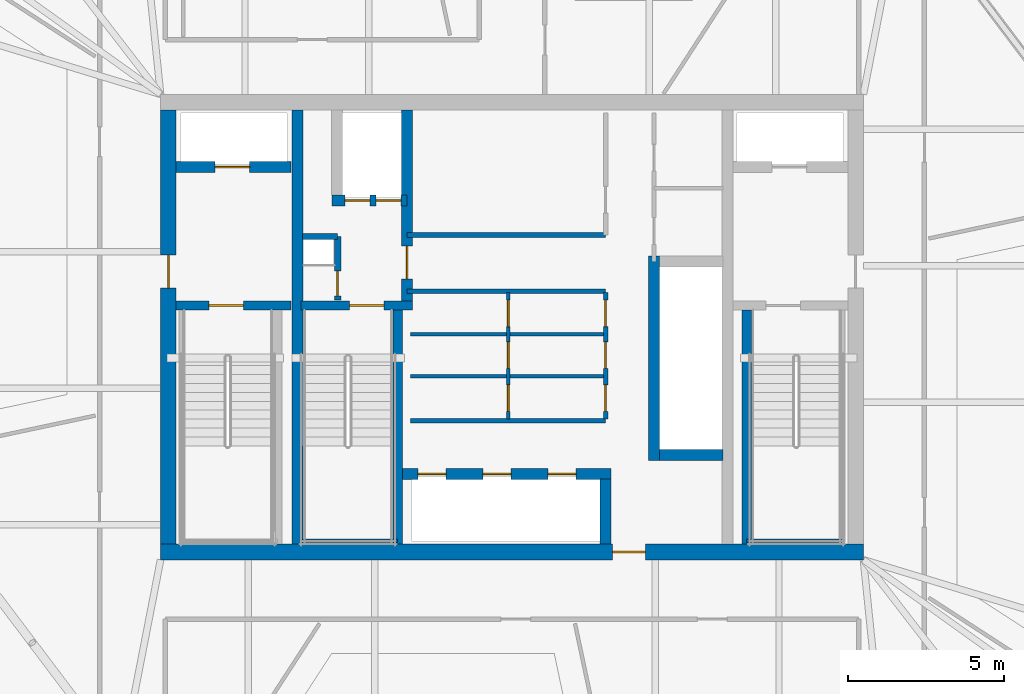
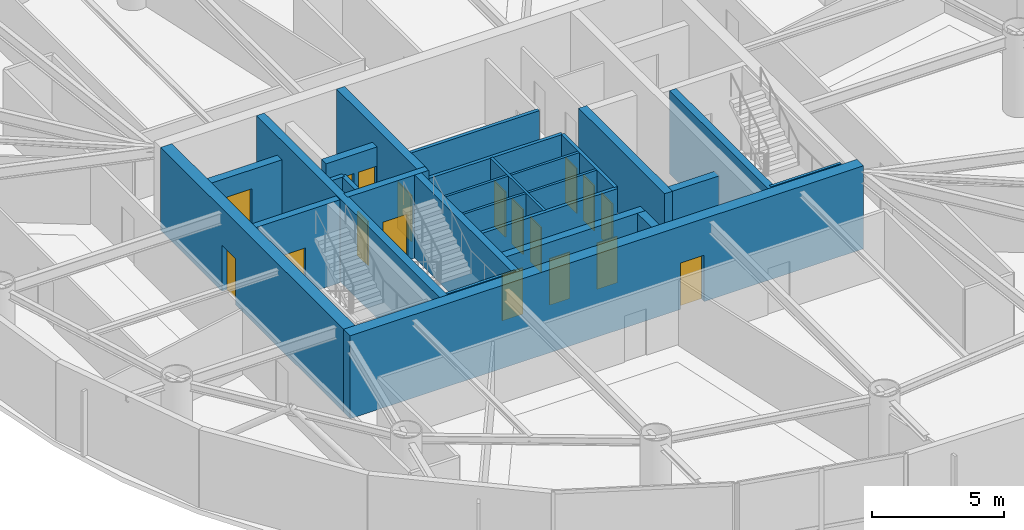
# One storey, part 16 of 22: 25 walls, 18 doors, 18 openings.
"""IFC4 building model written with IfcOpenShell, lengths in metres."""

import ifcopenshell
import ifcopenshell.guid

model = None  # the IFC model being written
_history = None  # IfcOwnerHistory: only IFC2X3 demands one
_inside = {}  # id of a spatial element -> (the spatial element, [elements in it])
_under = {}  # id of a project, library or spatial element -> (it, [spatial elements below it])
_declared = {}  # id of a project -> (the project, [libraries it declares])
_typed = {}  # id of a type object -> (the type object, [elements of that type])
_made_of = {}  # id of a material, layer set ... -> (it, [elements and type objects made of it])


def new_model(schema):
    """Start an empty IFC model of exactly this schema.

    Asked for "IFC4X3", IfcOpenShell would pick the latest addendum, in which some entities
    have other attributes; the version numbers below select the first issue.
    IFC2X3 requires an IfcOwnerHistory on every rooted entity: one is made here for all.
    """
    global model, _history
    if schema == "IFC4X3":
        model = ifcopenshell.file(schema_version=(4, 3, 0, 0))
    else:
        model = ifcopenshell.file(schema=schema)
    _inside.clear()
    _under.clear()
    _declared.clear()
    _typed.clear()
    _made_of.clear()
    _history = None
    if model.schema == "IFC2X3":
        org = make("IfcOrganization", Name="unknown")
        user = make(
            "IfcPersonAndOrganization",
            ThePerson=make("IfcPerson", FamilyName="unknown"),
            TheOrganization=org,
        )
        app = make(
            "IfcApplication",
            ApplicationDeveloper=org,
            Version="unknown",
            ApplicationFullName="unknown",
            ApplicationIdentifier="unknown",
        )
        _history = make(
            "IfcOwnerHistory",
            OwningUser=user,
            OwningApplication=app,
            ChangeAction="ADDED",
            CreationDate=0,
        )
    return model


def make(cls, **values):
    """One entity of the class cls with the attributes given. An attribute that is None is left unset."""
    return model.create_entity(
        cls, **{name: value for name, value in values.items() if value is not None}
    )


def rooted(cls, **values):
    """An entity with a GlobalId (a new one), such as an element, a storey or a relation."""
    return make(cls, GlobalId=ifcopenshell.guid.new(), OwnerHistory=_history, **values)


def si_unit(unit_type, name, prefix=None):
    """IfcSIUnit, for example si_unit("LENGTHUNIT", "METRE", prefix="MILLI")."""
    return make("IfcSIUnit", UnitType=unit_type, Prefix=prefix, Name=name)


def assignment(units):
    """IfcUnitAssignment: the units of a project."""
    return None if units is None else make("IfcUnitAssignment", Units=units)


def point(xyz):
    """IfcCartesianPoint."""
    return None if xyz is None else make("IfcCartesianPoint", Coordinates=xyz)


def direction(xyz):
    """IfcDirection."""
    return None if xyz is None else make("IfcDirection", DirectionRatios=xyz)


def frame(location, z_axis=None, x_axis=None):
    """IfcAxis2Placement3D, a coordinate frame: its origin and axes. An axis left out is left unset."""
    return make(
        "IfcAxis2Placement3D",
        Location=point(location),
        Axis=direction(z_axis),
        RefDirection=direction(x_axis),
    )


def frame_2d(location, x_axis=None):
    """IfcAxis2Placement2D, a coordinate frame in the plane: its origin and x axis."""
    return make(
        "IfcAxis2Placement2D", Location=point(location), RefDirection=direction(x_axis)
    )


def origin():
    """The frame at (0, 0, 0) with its axes left unset."""
    return frame((0.0, 0.0, 0.0))


def place(relative_to, where):
    """IfcLocalPlacement: puts the frame where relative to a parent placement (None: the world)."""
    return make(
        "IfcLocalPlacement", PlacementRelTo=relative_to, RelativePlacement=where
    )


def context(
    kind, dimensions, precision=None, world=None, true_north=None, identifier=None
):
    """IfcGeometricRepresentationContext, for example the 3D "Model" context."""
    return make(
        "IfcGeometricRepresentationContext",
        ContextIdentifier=identifier,
        ContextType=kind,
        CoordinateSpaceDimension=dimensions,
        Precision=precision,
        WorldCoordinateSystem=world,
        TrueNorth=true_north,
    )


def subcontext(parent, identifier, kind, view, scale=None):
    """IfcGeometricRepresentationSubContext, for example "Body" below "Model"."""
    return make(
        "IfcGeometricRepresentationSubContext",
        ContextIdentifier=identifier,
        ContextType=kind,
        ParentContext=parent,
        TargetScale=scale,
        TargetView=view,
    )


def project(units=None, contexts=None):
    """IfcProject with its units and contexts."""
    return rooted(
        "IfcProject",
        Name="project",
        RepresentationContexts=contexts,
        UnitsInContext=assignment(units),
    )


def spatial(cls, under=None, at=None, **own):
    """A site, building, storey or space (cls), placed at a placement, below another one or the project."""
    s = rooted(cls, ObjectPlacement=at, **own)
    if under is not None:
        _under.setdefault(under.id(), (under, []))[1].append(s)
    return s


def profile(cls, at=None, kind="AREA", **sizes):
    """A parametric profile (cls). Its sizes go by their IFC names, for example OverallWidth=200.0."""
    return make(cls, ProfileType=kind, Position=at, **sizes)


def rectangle(**sizes):
    """IfcRectangleProfileDef."""
    return profile("IfcRectangleProfileDef", **sizes)


def extrude(swept, where, along, depth):
    """IfcExtrudedAreaSolid: the profile swept, set in the frame where, extruded along a direction by depth."""
    return make(
        "IfcExtrudedAreaSolid",
        SweptArea=swept,
        Position=where,
        ExtrudedDirection=direction(along),
        Depth=depth,
    )


def shape(context_of_items, identifier, shape_type, items):
    """IfcShapeRepresentation: the items that make up one representation, for example the "Body"."""
    return make(
        "IfcShapeRepresentation",
        ContextOfItems=context_of_items,
        RepresentationIdentifier=identifier,
        RepresentationType=shape_type,
        Items=items,
    )


def material(Name=None, Category=None):
    """IfcMaterial."""
    return make("IfcMaterial", Name=Name, Category=Category)


def layer(
    of_material, thickness, ventilated=None, Name=None, Category=None, Priority=None
):
    """IfcMaterialLayer: one layer of a wall or slab, of a material (None: an air gap)."""
    return make(
        "IfcMaterialLayer",
        Material=of_material,
        LayerThickness=thickness,
        IsVentilated=ventilated,
        Name=Name,
        Category=Category,
        Priority=Priority,
    )


def layer_set(layers, Name=None):
    """IfcMaterialLayerSet."""
    return make("IfcMaterialLayerSet", MaterialLayers=layers, LayerSetName=Name)


def made_of(thing, what):
    """Note that an element or type object is made of a material, layer set ...; save() writes the relation."""
    if what is not None:
        _made_of.setdefault(what.id(), (what, []))[1].append(thing)
    return thing


def type_object(cls, material=None, **own):
    """A type object (cls), such as IfcWallType, which elements share."""
    return made_of(rooted(cls, **own), material)


def element(
    cls,
    number,
    at=None,
    inside=None,
    cuts=None,
    type_object=None,
    material=None,
    context=None,
    identifier="Body",
    shape_type=None,
    held_by="IfcProductDefinitionShape",
    body=None,
    shapes=None,
    **own,
):
    """One element of the class cls, such as IfcWall. Its Tag is "e" and its number.

    at: its placement. inside: the storey or other place that contains it. cuts: it is an
    opening in that element (IfcRelVoidsElement). A single representation is given by context,
    identifier, shape_type and body (its items); several are given by shapes. held_by: the class
    of the entity that holds the representations. save() writes the other relations.
    """
    e = rooted(cls, Tag="e%d" % number, ObjectPlacement=at, **own)
    if body is not None:
        shapes = [shape(context, identifier, shape_type, body)]
    if shapes is not None:
        e.Representation = make(held_by, Representations=shapes)
    if inside is not None:
        _inside.setdefault(inside.id(), (inside, []))[1].append(e)
    if cuts is not None:
        rooted(
            "IfcRelVoidsElement", RelatingBuildingElement=cuts, RelatedOpeningElement=e
        )
    if type_object is not None:
        _typed.setdefault(type_object.id(), (type_object, []))[1].append(e)
    return made_of(e, material)


def fill(opening, filler):
    """IfcRelFillsElement: the door or window that sits in an opening."""
    return rooted(
        "IfcRelFillsElement",
        RelatingOpeningElement=opening,
        RelatedBuildingElement=filler,
    )


def aggregate(whole, parts):
    """IfcRelAggregates: a whole, such as a stair, and the parts it consists of."""
    return rooted("IfcRelAggregates", RelatingObject=whole, RelatedObjects=parts)


def save(model, path):
    """Write the relations noted so far, then the file.

    IfcRelAggregates (storeys below a building ...), IfcRelContainedInSpatialStructure (elements
    in a storey), IfcRelDefinesByType, IfcRelAssociatesMaterial and IfcRelDeclares: one each for
    every whole, place, type object, material and project.
    """
    for whole, parts in _under.values():
        aggregate(whole, parts)
    for where, things in _inside.values():
        rooted(
            "IfcRelContainedInSpatialStructure",
            RelatedElements=things,
            RelatingStructure=where,
        )
    for kind, things in _typed.values():
        rooted("IfcRelDefinesByType", RelatedObjects=things, RelatingType=kind)
    for what, things in _made_of.values():
        rooted("IfcRelAssociatesMaterial", RelatedObjects=things, RelatingMaterial=what)
    for by, libraries in _declared.values():
        rooted("IfcRelDeclares", RelatingContext=by, RelatedDefinitions=libraries)
    model.write(path)


model = new_model("IFC4")

# Units and contexts
model_context = context("Model", 3, precision=1e-05, world=origin(), true_north=direction((0.0, 1.0)))
body_context = subcontext(model_context, "Body", "Model", "MODEL_VIEW")
ifc_project = project(units=[si_unit("LENGTHUNIT", "METRE"), si_unit("AREAUNIT", "SQUARE_METRE"), si_unit("VOLUMEUNIT", "CUBIC_METRE"), si_unit("PLANEANGLEUNIT", "RADIAN"), si_unit("MASSUNIT", "GRAM", prefix="KILO")], contexts=[model_context])

# Site, building, storey
site_placement = place(None, origin())
site = spatial("IfcSite", under=ifc_project, at=site_placement, CompositionType="ELEMENT")
building_placement = place(site_placement, origin())
building = spatial("IfcBuilding", under=site, at=building_placement, Name="Bramvorn Convention Spire", CompositionType="ELEMENT")
storey_placement = place(building_placement, frame((0.0, 0.0, 221.25)))
storey = spatial("IfcBuildingStorey", under=building, at=storey_placement, Name="L56", CompositionType="ELEMENT", Elevation=221.25)

# Wall, opening, door
ifc_material_1 = material(Name="Concrete C50/60", Category="concrete")
ifc_layer_1 = layer(ifc_material_1, 0.5)
ifc_layer_set_1 = layer_set([ifc_layer_1], Name="Concrete C50/60 - WL-CORE-500")
wall_type_1 = type_object("IfcWallType", Name="WL-CORE-500", PredefinedType="SHEAR", material=ifc_layer_set_1)
wall_1_placement = place(storey_placement, frame((26.75, 18.800048828125, 0.0), z_axis=(0.0, 0.0, 1.0), x_axis=(1.0, 0.0, 0.0)))
wall_1 = element("IfcWall", 1, at=wall_1_placement, inside=storey, type_object=wall_type_1, Name="L56 South RC core shear wall", PredefinedType="SHEAR", context=body_context, shape_type="SweptSolid", body=[
    extrude(rectangle(XDim=22.5, YDim=0.5, at=frame_2d((11.25, 0.0))), origin(), (0.0, 0.0, 1.0), 3.85009765625),
])
opening_1_placement = place(wall_1_placement, frame((14.469970703125, 0.0, 0.0)))
opening_1 = element("IfcOpeningElement", 2, at=opening_1_placement, cuts=wall_1, Name="Opening DL-105", PredefinedType="OPENING", context=body_context, shape_type="SweptSolid", body=[
    extrude(rectangle(XDim=1.050048828125, YDim=2.14990234375, at=frame_2d((0.52490234375, 1.074951171875))), frame((0.0, 0.260009765625, 0.0), z_axis=(0.0, -1.0, 0.0), x_axis=(1.0, 0.0, 0.0)), (0.0, 0.0, 1.0), 0.52001953125),
])
ifc_material_2 = material(Name="Smoke-Sealed Fire Lobby Timber-Core Door", Category="wood")
door_type_1 = type_object("IfcDoorType", Name="DR-LOBBY-1050", OperationType="NOTDEFINED", PredefinedType="DOOR", material=ifc_material_2)
door_1_placement = place(opening_1_placement, origin())
door_1 = element("IfcDoor", 3, at=door_1_placement, inside=storey, type_object=door_type_1, Name="L56 South Lift Lobby fire door", OperationType="SINGLE_SWING_RIGHT", OverallHeight=2.14990234375, OverallWidth=1.050048828125, PredefinedType="DOOR", context=body_context, shape_type="SweptSolid", body=[
    extrude(rectangle(XDim=1.050048828125, YDim=2.14990234375, at=frame_2d((0.52490234375, 1.074951171875))), frame((0.0, 0.02490234375, 0.0), z_axis=(0.0, -1.0, 0.0), x_axis=(1.0, 0.0, 0.0)), (0.0, 0.0, 1.0), 0.050048828125),
])
fill(opening_1, door_1)

wall_2_placement = place(storey_placement, frame((27.0, 19.050048828125, 0.0), z_axis=(0.0, 0.0, 1.0), x_axis=(0.0, 1.0, 0.0)))
wall_2 = element("IfcWall", 4, at=wall_2_placement, inside=storey, type_object=wall_type_1, Name="L56 West RC core shear wall", PredefinedType="SHEAR", context=body_context, shape_type="SweptSolid", body=[
    extrude(rectangle(XDim=13.89990234375, YDim=0.5, at=frame_2d((6.949951171875, 0.0))), origin(), (0.0, 0.0, 1.0), 3.85009765625),
])
opening_2_placement = place(wall_2_placement, frame((8.199951171875, 0.0, 0.0)))
opening_2 = element("IfcOpeningElement", 5, at=opening_2_placement, cuts=wall_2, Name="Opening DL-105", PredefinedType="OPENING", context=body_context, shape_type="SweptSolid", body=[
    extrude(rectangle(XDim=1.050048828125, YDim=2.14990234375, at=frame_2d((0.52490234375, 1.074951171875))), frame((0.0, 0.260009765625, 0.0), z_axis=(0.0, -1.0, 0.0), x_axis=(1.0, 0.0, 0.0)), (0.0, 0.0, 1.0), 0.52001953125),
])
door_2_placement = place(opening_2_placement, origin())
door_2 = element("IfcDoor", 6, at=door_2_placement, inside=storey, type_object=door_type_1, Name="L56 West Firefighting Lobby corridor door", OperationType="SINGLE_SWING_RIGHT", OverallHeight=2.14990234375, OverallWidth=1.050048828125, PredefinedType="DOOR", context=body_context, shape_type="SweptSolid", body=[
    extrude(rectangle(XDim=1.050048828125, YDim=2.14990234375, at=frame_2d((0.52490234375, 1.074951171875))), frame((0.0, 0.02490234375, 0.0), z_axis=(0.0, -1.0, 0.0), x_axis=(1.0, 0.0, 0.0)), (0.0, 0.0, 1.0), 0.050048828125),
])
fill(opening_2, door_2)

# Wall
ifc_layer_2 = layer(ifc_material_1, 0.35009765625)
ifc_layer_set_2 = layer_set([ifc_layer_2], Name="Concrete C50/60 - WL-CORE-INT-350")
wall_type_2 = type_object("IfcWallType", Name="WL-CORE-INT-350", PredefinedType="SHEAR", material=ifc_layer_set_2)
wall_3_placement = place(storey_placement, frame((31.1298828125, 19.050048828125, 0.0), z_axis=(0.0, 0.0, 1.0), x_axis=(0.0, 1.0, 0.0)))
element("IfcWall", 7, at=wall_3_placement, inside=storey, type_object=wall_type_2, Name="L56 West internal core shear web", PredefinedType="SHEAR", context=body_context, shape_type="SweptSolid", body=[
    extrude(rectangle(XDim=13.89990234375, YDim=0.35009765625, at=frame_2d((6.949951171875, 0.0))), origin(), (0.0, 0.0, 1.0), 3.85009765625),
])

# Wall, opening, door
wall_4_placement = place(storey_placement, frame((27.25, 31.1201171875, 0.0), z_axis=(0.0, 0.0, 1.0), x_axis=(1.0, 0.0, 0.0)))
wall_4 = element("IfcWall", 8, at=wall_4_placement, inside=storey, type_object=wall_type_2, Name="L56 FE1 shaft front wall", PredefinedType="SHEAR", context=body_context, shape_type="SweptSolid", body=[
    extrude(rectangle(XDim=3.669921875, YDim=0.35009765625, at=frame_2d((1.8349609375, 0.0))), origin(), (0.0, 0.0, 1.0), 3.034912109375),
])
opening_3_placement = place(wall_4_placement, frame((1.25, 0.0, 0.0)))
opening_3 = element("IfcOpeningElement", 9, at=opening_3_placement, cuts=wall_4, Name="Opening LD-110", PredefinedType="OPENING", context=body_context, shape_type="SweptSolid", body=[
    extrude(rectangle(XDim=1.10009765625, YDim=2.14990234375, at=frame_2d((0.550048828125, 1.074951171875))), frame((0.0, 0.18505859375, 0.0), z_axis=(0.0, -1.0, 0.0), x_axis=(1.0, 0.0, 0.0)), (0.0, 0.0, 1.0), 0.3701171875),
])
ifc_material_3 = material(Name="Firefighting & Service Lift Sliding Landing Door", Category="steel")
door_type_2 = type_object("IfcDoorType", Name="DR-LIFT-LD-1100", OperationType="NOTDEFINED", PredefinedType="DOOR", material=ifc_material_3)
door_3_placement = place(opening_3_placement, origin())
door_3 = element("IfcDoor", 10, at=door_3_placement, inside=storey, type_object=door_type_2, Name="L56 Lift FE1 Sliding Landing Door", OperationType="SLIDING_TO_LEFT", OverallHeight=2.14990234375, OverallWidth=1.10009765625, PredefinedType="DOOR", context=body_context, shape_type="SweptSolid", body=[
    extrude(rectangle(XDim=1.10009765625, YDim=2.14990234375, at=frame_2d((0.550048828125, 1.074951171875))), frame((0.0, 0.02490234375, 0.0), z_axis=(0.0, -1.0, 0.0), x_axis=(1.0, 0.0, 0.0)), (0.0, 0.0, 1.0), 0.050048828125),
])
fill(opening_3, door_3)

wall_5_placement = place(storey_placement, frame((34.639892578125, 26.68994140625, 0.0), z_axis=(0.0, 0.0, 1.0), x_axis=(0.0, 1.0, 0.0)))
wall_5 = element("IfcWall", 11, at=wall_5_placement, inside=storey, type_object=wall_type_2, Name="L56 SV east core shaft wall", PredefinedType="SHEAR", context=body_context, shape_type="SweptSolid", body=[
    extrude(rectangle(XDim=6.260009765625, YDim=0.35009765625, at=frame_2d((3.1298828125, 0.0))), origin(), (0.0, 0.0, 1.0), 3.85009765625),
])
opening_4_placement = place(wall_5_placement, frame((0.85009765625, 0.0, 0.0)))
opening_4 = element("IfcOpeningElement", 12, at=opening_4_placement, cuts=wall_5, Name="Opening DL-105", PredefinedType="OPENING", context=body_context, shape_type="SweptSolid", body=[
    extrude(rectangle(XDim=1.050048828125, YDim=2.14990234375, at=frame_2d((0.52490234375, 1.074951171875))), frame((0.0, 0.18505859375, 0.0), z_axis=(0.0, -1.0, 0.0), x_axis=(1.0, 0.0, 0.0)), (0.0, 0.0, 1.0), 0.3701171875),
])
door_4_placement = place(opening_4_placement, origin())
door_4 = element("IfcDoor", 13, at=door_4_placement, inside=storey, type_object=door_type_1, Name="L56 Core cross-passage door", OperationType="SINGLE_SWING_RIGHT", OverallHeight=2.14990234375, OverallWidth=1.050048828125, PredefinedType="DOOR", context=body_context, shape_type="SweptSolid", body=[
    extrude(rectangle(XDim=1.050048828125, YDim=2.14990234375, at=frame_2d((0.52490234375, 1.074951171875))), frame((0.0, 0.02490234375, 0.0), z_axis=(0.0, -1.0, 0.0), x_axis=(1.0, 0.0, 0.0)), (0.0, 0.0, 1.0), 0.050048828125),
])
fill(opening_4, door_4)

# Wall, openings, doors
wall_6_placement = place(storey_placement, frame((32.22998046875, 30.050048828125, 0.0), z_axis=(0.0, 0.0, 1.0), x_axis=(1.0, 0.0, 0.0)))
wall_6 = element("IfcWall", 14, at=wall_6_placement, inside=storey, type_object=wall_type_2, Name="L56 SV1/SV2 shaft front wall", PredefinedType="SHEAR", context=body_context, shape_type="SweptSolid", body=[
    extrude(rectangle(XDim=2.409912109375, YDim=0.35009765625, at=frame_2d((1.205078125, 0.0))), origin(), (0.0, 0.0, 1.0), 3.034912109375),
])
opening_5_placement = place(wall_6_placement, frame((0.419921875, 0.0, 0.0)))
opening_5 = element("IfcOpeningElement", 15, at=opening_5_placement, cuts=wall_6, Name="Opening LD-080", PredefinedType="OPENING", context=body_context, shape_type="SweptSolid", body=[
    extrude(rectangle(XDim=0.800048828125, YDim=2.14990234375, at=frame_2d((0.39990234375, 1.074951171875))), frame((0.0, 0.18505859375, 0.0), z_axis=(0.0, -1.0, 0.0), x_axis=(1.0, 0.0, 0.0)), (0.0, 0.0, 1.0), 0.3701171875),
])
opening_6_placement = place(wall_6_placement, frame((1.419921875, 0.0, 0.0)))
opening_6 = element("IfcOpeningElement", 16, at=opening_6_placement, cuts=wall_6, Name="Opening LD-080", PredefinedType="OPENING", context=body_context, shape_type="SweptSolid", body=[
    extrude(rectangle(XDim=0.800048828125, YDim=2.14990234375, at=frame_2d((0.39990234375, 1.074951171875))), frame((0.0, 0.18505859375, 0.0), z_axis=(0.0, -1.0, 0.0), x_axis=(1.0, 0.0, 0.0)), (0.0, 0.0, 1.0), 0.3701171875),
])
ifc_material_4 = material(Name="Service Lift Bi-Parting Landing Door", Category="steel")
door_type_3 = type_object("IfcDoorType", Name="DR-LIFT-LD-800", OperationType="NOTDEFINED", PredefinedType="DOOR", material=ifc_material_4)
door_5_placement = place(opening_5_placement, origin())
door_5 = element("IfcDoor", 17, at=door_5_placement, inside=storey, type_object=door_type_3, Name="L56 Lift SV1 Sliding Landing Door", OperationType="SLIDING_TO_LEFT", OverallHeight=2.14990234375, OverallWidth=0.800048828125, PredefinedType="DOOR", context=body_context, shape_type="SweptSolid", body=[
    extrude(rectangle(XDim=0.800048828125, YDim=2.14990234375, at=frame_2d((0.39990234375, 1.074951171875))), frame((0.0, 0.02490234375, 0.0), z_axis=(0.0, -1.0, 0.0), x_axis=(1.0, 0.0, 0.0)), (0.0, 0.0, 1.0), 0.050048828125),
])
fill(opening_5, door_5)
door_6_placement = place(opening_6_placement, origin())
door_6 = element("IfcDoor", 18, at=door_6_placement, inside=storey, type_object=door_type_3, Name="L56 Lift SV2 Sliding Landing Door", OperationType="SLIDING_TO_LEFT", OverallHeight=2.14990234375, OverallWidth=0.800048828125, PredefinedType="DOOR", context=body_context, shape_type="SweptSolid", body=[
    extrude(rectangle(XDim=0.800048828125, YDim=2.14990234375, at=frame_2d((0.39990234375, 1.074951171875))), frame((0.0, 0.02490234375, 0.0), z_axis=(0.0, -1.0, 0.0), x_axis=(1.0, 0.0, 0.0)), (0.0, 0.0, 1.0), 0.050048828125),
])
fill(opening_6, door_6)

# Walls
wall_7_placement = place(storey_placement, frame((42.550048828125, 21.72998046875, 0.0), z_axis=(0.0, 0.0, 1.0), x_axis=(0.0, 1.0, 0.0)))
element("IfcWall", 19, at=wall_7_placement, inside=storey, type_object=wall_type_2, Name="L56 High-rise lift bank west wall", PredefinedType="SHEAR", context=body_context, shape_type="SweptSolid", body=[
    extrude(rectangle(XDim=6.5400390625, YDim=0.35009765625, at=frame_2d((3.27001953125, 0.0))), origin(), (0.0, 0.0, 1.0), 3.034912109375),
])
wall_8_placement = place(storey_placement, frame((42.719970703125, 21.89990234375, 0.0), z_axis=(0.0, 0.0, 1.0), x_axis=(1.0, 0.0, 0.0)))
element("IfcWall", 20, at=wall_8_placement, inside=storey, type_object=wall_type_2, Name="L56 High-rise lift bank south wall", PredefinedType="SHEAR", context=body_context, shape_type="SweptSolid", body=[
    extrude(rectangle(XDim=2.030029296875, YDim=0.35009765625, at=frame_2d((1.01513671875, 0.0))), origin(), (0.0, 0.0, 1.0), 3.034912109375),
])

# Wall, openings, doors
wall_9_placement = place(storey_placement, frame((34.489990234375, 21.300048828125, 0.0), z_axis=(0.0, 0.0, 1.0), x_axis=(1.0, 0.0, 0.0)))
wall_9 = element("IfcWall", 21, at=wall_9_placement, inside=storey, type_object=wall_type_2, Name="L56 Mid-rise bank north landing wall", PredefinedType="SHEAR", context=body_context, shape_type="SweptSolid", body=[
    extrude(rectangle(XDim=6.679931640625, YDim=0.35009765625, at=frame_2d((3.33984375, 0.0))), origin(), (0.0, 0.0, 1.0), 3.034912109375),
])
opening_7_placement = place(wall_9_placement, frame((0.5, 0.0, 0.0)))
opening_7 = element("IfcOpeningElement", 22, at=opening_7_placement, cuts=wall_9, Name="Opening LD-090", PredefinedType="OPENING", context=body_context, shape_type="SweptSolid", body=[
    extrude(rectangle(XDim=0.89990234375, YDim=2.14990234375, at=frame_2d((0.449951171875, 1.074951171875))), frame((0.0, 0.18505859375, 0.0), z_axis=(0.0, -1.0, 0.0), x_axis=(1.0, 0.0, 0.0)), (0.0, 0.0, 1.0), 0.3701171875),
])
opening_8_placement = place(wall_9_placement, frame((2.580078125, 0.0, 0.0)))
opening_8 = element("IfcOpeningElement", 23, at=opening_8_placement, cuts=wall_9, Name="Opening LD-090", PredefinedType="OPENING", context=body_context, shape_type="SweptSolid", body=[
    extrude(rectangle(XDim=0.89990234375, YDim=2.14990234375, at=frame_2d((0.449951171875, 1.074951171875))), frame((0.0, 0.18505859375, 0.0), z_axis=(0.0, -1.0, 0.0), x_axis=(1.0, 0.0, 0.0)), (0.0, 0.0, 1.0), 0.3701171875),
])
opening_9_placement = place(wall_9_placement, frame((4.659912109375, 0.0, 0.0)))
opening_9 = element("IfcOpeningElement", 24, at=opening_9_placement, cuts=wall_9, Name="Opening LD-090", PredefinedType="OPENING", context=body_context, shape_type="SweptSolid", body=[
    extrude(rectangle(XDim=0.89990234375, YDim=2.14990234375, at=frame_2d((0.449951171875, 1.074951171875))), frame((0.0, 0.18505859375, 0.0), z_axis=(0.0, -1.0, 0.0), x_axis=(1.0, 0.0, 0.0)), (0.0, 0.0, 1.0), 0.3701171875),
])
ifc_material_5 = material(Name="Bi-Parting Fire-Rated Lift Landing Door", Category="steel")
door_type_4 = type_object("IfcDoorType", Name="DR-LIFT-LD-900", OperationType="NOTDEFINED", PredefinedType="DOOR", material=ifc_material_5)
door_7_placement = place(opening_7_placement, origin())
door_7 = element("IfcDoor", 25, at=door_7_placement, inside=storey, type_object=door_type_4, Name="L56 Lift PM1 Sliding Landing Door", OperationType="SLIDING_TO_LEFT", OverallHeight=2.14990234375, OverallWidth=0.89990234375, PredefinedType="DOOR", context=body_context, shape_type="SweptSolid", body=[
    extrude(rectangle(XDim=0.89990234375, YDim=2.14990234375, at=frame_2d((0.449951171875, 1.074951171875))), frame((0.0, 0.02490234375, 0.0), z_axis=(0.0, -1.0, 0.0), x_axis=(1.0, 0.0, 0.0)), (0.0, 0.0, 1.0), 0.050048828125),
])
fill(opening_7, door_7)
door_8_placement = place(opening_8_placement, origin())
door_8 = element("IfcDoor", 26, at=door_8_placement, inside=storey, type_object=door_type_4, Name="L56 Lift PM2 Sliding Landing Door", OperationType="SLIDING_TO_LEFT", OverallHeight=2.14990234375, OverallWidth=0.89990234375, PredefinedType="DOOR", context=body_context, shape_type="SweptSolid", body=[
    extrude(rectangle(XDim=0.89990234375, YDim=2.14990234375, at=frame_2d((0.449951171875, 1.074951171875))), frame((0.0, 0.02490234375, 0.0), z_axis=(0.0, -1.0, 0.0), x_axis=(1.0, 0.0, 0.0)), (0.0, 0.0, 1.0), 0.050048828125),
])
fill(opening_8, door_8)
door_9_placement = place(opening_9_placement, origin())
door_9 = element("IfcDoor", 27, at=door_9_placement, inside=storey, type_object=door_type_4, Name="L56 Lift PM3 Sliding Landing Door", OperationType="SLIDING_TO_LEFT", OverallHeight=2.14990234375, OverallWidth=0.89990234375, PredefinedType="DOOR", context=body_context, shape_type="SweptSolid", body=[
    extrude(rectangle(XDim=0.89990234375, YDim=2.14990234375, at=frame_2d((0.449951171875, 1.074951171875))), frame((0.0, 0.02490234375, 0.0), z_axis=(0.0, -1.0, 0.0), x_axis=(1.0, 0.0, 0.0)), (0.0, 0.0, 1.0), 0.050048828125),
])
fill(opening_9, door_9)

# Wall
wall_10_placement = place(storey_placement, frame((41.0, 19.050048828125, 0.0), z_axis=(0.0, 0.0, 1.0), x_axis=(0.0, 1.0, 0.0)))
element("IfcWall", 28, at=wall_10_placement, inside=storey, type_object=wall_type_2, Name="L56 Mid-rise bank east cheek wall", PredefinedType="SHEAR", context=body_context, shape_type="SweptSolid", body=[
    extrude(rectangle(XDim=2.079833984375, YDim=0.35009765625, at=frame_2d((1.0400390625, 0.0))), origin(), (0.0, 0.0, 1.0), 3.034912109375),
])

# Wall, openings, doors
ifc_material_6 = material(Name="Lightweight En-Suite & Wet-Wall Partition", Category="gypsum")
ifc_layer_3 = layer(ifc_material_6, 0.110107421875)
ifc_layer_set_3 = layer_set([ifc_layer_3], Name="Lightweight En-Suite & Wet-Wall Partition - WL-PART-110")
wall_type_3 = type_object("IfcWallType", Name="WL-PART-110", PredefinedType="PARTITIONING", material=ifc_layer_set_3)
wall_11_placement = place(storey_placement, frame((37.8798828125, 23.050048828125, 0.0), z_axis=(0.0, 0.0, 1.0), x_axis=(0.0, 1.0, 0.0)))
wall_11 = element("IfcWall", 29, at=wall_11_placement, inside=storey, type_object=wall_type_3, Name="L56 KB center wall", PredefinedType="PARTITIONING", context=body_context, shape_type="SweptSolid", body=[
    extrude(rectangle(XDim=4.050048828125, YDim=0.110107421875, at=frame_2d((2.02490234375, 0.0))), origin(), (0.0, 0.0, 1.0), 3.034912109375),
])
opening_10_placement = place(wall_11_placement, frame((0.25, 0.0, 0.0)))
opening_10 = element("IfcOpeningElement", 30, at=opening_10_placement, cuts=wall_11, Name="Opening DC-085", PredefinedType="OPENING", context=body_context, shape_type="SweptSolid", body=[
    extrude(rectangle(XDim=0.85009765625, YDim=2.10009765625, at=frame_2d((0.425048828125, 1.050048828125))), frame((0.0, 0.06494140625, 0.0), z_axis=(0.0, -1.0, 0.0), x_axis=(1.0, 0.0, 0.0)), (0.0, 0.0, 1.0), 0.130126953125),
])
opening_11_placement = place(wall_11_placement, frame((1.626953125, 0.0, 0.0)))
opening_11 = element("IfcOpeningElement", 31, at=opening_11_placement, cuts=wall_11, Name="Opening DC-085", PredefinedType="OPENING", context=body_context, shape_type="SweptSolid", body=[
    extrude(rectangle(XDim=0.85009765625, YDim=2.10009765625, at=frame_2d((0.425048828125, 1.050048828125))), frame((0.0, 0.06494140625, 0.0), z_axis=(0.0, -1.0, 0.0), x_axis=(1.0, 0.0, 0.0)), (0.0, 0.0, 1.0), 0.130126953125),
])
opening_12_placement = place(wall_11_placement, frame((2.96337890625, 0.0, 0.0)))
opening_12 = element("IfcOpeningElement", 32, at=opening_12_placement, cuts=wall_11, Name="Opening DC-085", PredefinedType="OPENING", context=body_context, shape_type="SweptSolid", body=[
    extrude(rectangle(XDim=0.85009765625, YDim=2.10009765625, at=frame_2d((0.425048828125, 1.050048828125))), frame((0.0, 0.06494140625, 0.0), z_axis=(0.0, -1.0, 0.0), x_axis=(1.0, 0.0, 0.0)), (0.0, 0.0, 1.0), 0.130126953125),
])
ifc_material_7 = material(Name="Fire-Rated Core Washroom & IDF Door", Category="wood")
door_type_5 = type_object("IfcDoorType", Name="DR-CORE-850", OperationType="NOTDEFINED", PredefinedType="DOOR", material=ifc_material_7)
door_10_placement = place(opening_10_placement, origin())
door_10 = element("IfcDoor", 33, at=door_10_placement, inside=storey, type_object=door_type_5, Name="L56 Core Linen Store door", OperationType="SINGLE_SWING_LEFT", OverallHeight=2.10009765625, OverallWidth=0.85009765625, PredefinedType="DOOR", context=body_context, shape_type="SweptSolid", body=[
    extrude(rectangle(XDim=0.85009765625, YDim=2.10009765625, at=frame_2d((0.425048828125, 1.050048828125))), frame((0.0, 0.02490234375, 0.0), z_axis=(0.0, -1.0, 0.0), x_axis=(1.0, 0.0, 0.0)), (0.0, 0.0, 1.0), 0.050048828125),
])
fill(opening_10, door_10)
door_11_placement = place(opening_11_placement, origin())
door_11 = element("IfcDoor", 34, at=door_11_placement, inside=storey, type_object=door_type_5, Name="L56 Core Metering Closet door", OperationType="SINGLE_SWING_LEFT", OverallHeight=2.10009765625, OverallWidth=0.85009765625, PredefinedType="DOOR", context=body_context, shape_type="SweptSolid", body=[
    extrude(rectangle(XDim=0.85009765625, YDim=2.10009765625, at=frame_2d((0.425048828125, 1.050048828125))), frame((0.0, 0.02490234375, 0.0), z_axis=(0.0, -1.0, 0.0), x_axis=(1.0, 0.0, 0.0)), (0.0, 0.0, 1.0), 0.050048828125),
])
fill(opening_11, door_11)
door_12_placement = place(opening_12_placement, origin())
door_12 = element("IfcDoor", 35, at=door_12_placement, inside=storey, type_object=door_type_5, Name="L56 Core Janitor Supply door", OperationType="SINGLE_SWING_LEFT", OverallHeight=2.10009765625, OverallWidth=0.85009765625, PredefinedType="DOOR", context=body_context, shape_type="SweptSolid", body=[
    extrude(rectangle(XDim=0.85009765625, YDim=2.10009765625, at=frame_2d((0.425048828125, 1.050048828125))), frame((0.0, 0.02490234375, 0.0), z_axis=(0.0, -1.0, 0.0), x_axis=(1.0, 0.0, 0.0)), (0.0, 0.0, 1.0), 0.050048828125),
])
fill(opening_12, door_12)

# Walls
for number, where, z_axis, x_axis, name in (
    (36, (34.75, 24.427001953125, 0.0), (0.0, 0.0, 1.0), (1.0, 0.0, 0.0), "L56 KB divider 1"),
    (37, (34.75, 25.763427734375, 0.0), (0.0, 0.0, 1.0), (1.0, 0.0, 0.0), "L56 KB divider 2"),
):
    element("IfcWall", number, at=place(storey_placement, frame(where, z_axis=z_axis, x_axis=x_axis)), inside=storey, type_object=wall_type_3, Name=name, PredefinedType="PARTITIONING", context=body_context, shape_type="SweptSolid", body=[
        extrude(rectangle(XDim=6.25, YDim=0.110107421875, at=frame_2d((3.125, 0.0))), origin(), (0.0, 0.0, 1.0), 3.034912109375),
    ])
ifc_material_8 = material(Name="Acoustic Metal-Stud Tenant/Corridor Partition", Category="gypsum")
ifc_layer_4 = layer(ifc_material_8, 0.14990234375)
ifc_layer_set_4 = layer_set([ifc_layer_4], Name="Acoustic Metal-Stud Tenant/Corridor Partition - WL-PART-150")
wall_type_4 = type_object("IfcWallType", Name="WL-PART-150", PredefinedType="PARTITIONING", material=ifc_layer_set_4)
wall_12_placement = place(storey_placement, frame((34.75, 23.0, 0.0), z_axis=(0.0, 0.0, 1.0), x_axis=(1.0, 0.0, 0.0)))
element("IfcWall", 38, at=wall_12_placement, inside=storey, type_object=wall_type_4, Name="L56 Mid-rise lift vestibule north wall", PredefinedType="PARTITIONING", context=body_context, shape_type="SweptSolid", body=[
    extrude(rectangle(XDim=6.25, YDim=0.14990234375, at=frame_2d((3.125, 0.0))), origin(), (0.0, 0.0, 1.0), 3.034912109375),
])
for number, where, z_axis, x_axis, name in (
    (39, (34.639892578125, 27.14990234375, 0.0), (0.0, 0.0, 1.0), (1.0, 0.0, 0.0), "L56 Cross-core passage south wall"),
    (40, (34.639892578125, 28.949951171875, 0.0), (0.0, 0.0, 1.0), (1.0, 0.0, 0.0), "L56 Cross-core passage north wall"),
):
    element("IfcWall", number, at=place(storey_placement, frame(where, z_axis=z_axis, x_axis=x_axis)), inside=storey, type_object=wall_type_4, Name=name, PredefinedType="PARTITIONING", context=body_context, shape_type="SweptSolid", body=[
        extrude(rectangle(XDim=6.360107421875, YDim=0.14990234375, at=frame_2d((3.18017578125, 0.0))), origin(), (0.0, 0.0, 1.0), 3.034912109375),
    ])

# Wall, openings, doors
wall_13_placement = place(storey_placement, frame((41.0, 23.050048828125, 0.0), z_axis=(0.0, 0.0, 1.0), x_axis=(0.0, 1.0, 0.0)))
wall_13 = element("IfcWall", 41, at=wall_13_placement, inside=storey, type_object=wall_type_4, Name="L56 KB east core wall", PredefinedType="PARTITIONING", context=body_context, shape_type="SweptSolid", body=[
    extrude(rectangle(XDim=4.050048828125, YDim=0.14990234375, at=frame_2d((2.02490234375, 0.0))), origin(), (0.0, 0.0, 1.0), 3.034912109375),
])
opening_13_placement = place(wall_13_placement, frame((0.25, 0.0, 0.0)))
opening_13 = element("IfcOpeningElement", 42, at=opening_13_placement, cuts=wall_13, Name="Opening DC-085", PredefinedType="OPENING", context=body_context, shape_type="SweptSolid", body=[
    extrude(rectangle(XDim=0.85009765625, YDim=2.10009765625, at=frame_2d((0.425048828125, 1.050048828125))), frame((0.0, 0.0849609375, 0.0), z_axis=(0.0, -1.0, 0.0), x_axis=(1.0, 0.0, 0.0)), (0.0, 0.0, 1.0), 0.169921875),
])
opening_14_placement = place(wall_13_placement, frame((1.626953125, 0.0, 0.0)))
opening_14 = element("IfcOpeningElement", 43, at=opening_14_placement, cuts=wall_13, Name="Opening DC-085", PredefinedType="OPENING", context=body_context, shape_type="SweptSolid", body=[
    extrude(rectangle(XDim=0.85009765625, YDim=2.10009765625, at=frame_2d((0.425048828125, 1.050048828125))), frame((0.0, 0.0849609375, 0.0), z_axis=(0.0, -1.0, 0.0), x_axis=(1.0, 0.0, 0.0)), (0.0, 0.0, 1.0), 0.169921875),
])
opening_15_placement = place(wall_13_placement, frame((2.96337890625, 0.0, 0.0)))
opening_15 = element("IfcOpeningElement", 44, at=opening_15_placement, cuts=wall_13, Name="Opening DC-085", PredefinedType="OPENING", context=body_context, shape_type="SweptSolid", body=[
    extrude(rectangle(XDim=0.85009765625, YDim=2.10009765625, at=frame_2d((0.425048828125, 1.050048828125))), frame((0.0, 0.0849609375, 0.0), z_axis=(0.0, -1.0, 0.0), x_axis=(1.0, 0.0, 0.0)), (0.0, 0.0, 1.0), 0.169921875),
])
door_13_placement = place(opening_13_placement, origin())
door_13 = element("IfcDoor", 45, at=door_13_placement, inside=storey, type_object=door_type_5, Name="L56 Accessible Core Restroom door", OperationType="SINGLE_SWING_LEFT", OverallHeight=2.10009765625, OverallWidth=0.85009765625, PredefinedType="DOOR", context=body_context, shape_type="SweptSolid", body=[
    extrude(rectangle(XDim=0.85009765625, YDim=2.10009765625, at=frame_2d((0.425048828125, 1.050048828125))), frame((0.0, 0.02490234375, 0.0), z_axis=(0.0, -1.0, 0.0), x_axis=(1.0, 0.0, 0.0)), (0.0, 0.0, 1.0), 0.050048828125),
])
fill(opening_13, door_13)
door_14_placement = place(opening_14_placement, origin())
door_14 = element("IfcDoor", 46, at=door_14_placement, inside=storey, type_object=door_type_5, Name="L56 Tenant Pantry & Copy Centre door", OperationType="SINGLE_SWING_LEFT", OverallHeight=2.10009765625, OverallWidth=0.85009765625, PredefinedType="DOOR", context=body_context, shape_type="SweptSolid", body=[
    extrude(rectangle(XDim=0.85009765625, YDim=2.10009765625, at=frame_2d((0.425048828125, 1.050048828125))), frame((0.0, 0.02490234375, 0.0), z_axis=(0.0, -1.0, 0.0), x_axis=(1.0, 0.0, 0.0)), (0.0, 0.0, 1.0), 0.050048828125),
])
fill(opening_14, door_14)
door_15_placement = place(opening_15_placement, origin())
door_15 = element("IfcDoor", 47, at=door_15_placement, inside=storey, type_object=door_type_5, Name="L56 Gender-Neutral Core WC door", OperationType="SINGLE_SWING_LEFT", OverallHeight=2.10009765625, OverallWidth=0.85009765625, PredefinedType="DOOR", context=body_context, shape_type="SweptSolid", body=[
    extrude(rectangle(XDim=0.85009765625, YDim=2.10009765625, at=frame_2d((0.425048828125, 1.050048828125))), frame((0.0, 0.02490234375, 0.0), z_axis=(0.0, -1.0, 0.0), x_axis=(1.0, 0.0, 0.0)), (0.0, 0.0, 1.0), 0.050048828125),
])
fill(opening_15, door_15)

# Wall, opening, door
ifc_material_9 = material(Name="Gypsum Shaftwall & Rockwool Core Partition", Category="gypsum")
ifc_layer_5 = layer(ifc_material_9, 0.199951171875)
ifc_layer_set_5 = layer_set([ifc_layer_5], Name="Gypsum Shaftwall & Rockwool Core Partition - WL-PART-200-FR")
wall_type_5 = type_object("IfcWallType", Name="WL-PART-200-FR", PredefinedType="PARTITIONING", material=ifc_layer_set_5)
wall_14_placement = place(storey_placement, frame((32.419921875, 26.860107421875, 0.0), z_axis=(0.0, 0.0, 1.0), x_axis=(0.0, 1.0, 0.0)))
wall_14 = element("IfcWall", 48, at=wall_14_placement, inside=storey, type_object=wall_type_5, Name="L56 Telecom riser east wall", PredefinedType="PARTITIONING", context=body_context, shape_type="SweptSolid", body=[
    extrude(rectangle(XDim=2.039794921875, YDim=0.199951171875, at=frame_2d((1.02001953125, 0.0))), origin(), (0.0, 0.0, 1.0), 3.034912109375),
])
opening_16_placement = place(wall_14_placement, frame((0.139892578125, 0.0, 0.0)))
opening_16 = element("IfcOpeningElement", 49, at=opening_16_placement, cuts=wall_14, Name="Opening DR-080", PredefinedType="OPENING", context=body_context, shape_type="SweptSolid", body=[
    extrude(rectangle(XDim=0.800048828125, YDim=2.050048828125, at=frame_2d((0.39990234375, 1.02490234375))), frame((0.0, 0.10986328125, 0.0), z_axis=(0.0, -1.0, 0.0), x_axis=(1.0, 0.0, 0.0)), (0.0, 0.0, 1.0), 0.219970703125),
])
ifc_material_10 = material(Name="Flush Steel Riser Access Door", Category="steel")
door_type_6 = type_object("IfcDoorType", Name="DR-RISER-800", OperationType="NOTDEFINED", PredefinedType="DOOR", material=ifc_material_10)
door_16_placement = place(opening_16_placement, origin())
door_16 = element("IfcDoor", 50, at=door_16_placement, inside=storey, type_object=door_type_6, Name="L56 Telecom riser access door", OperationType="SINGLE_SWING_RIGHT", OverallHeight=2.050048828125, OverallWidth=0.800048828125, PredefinedType="DOOR", context=body_context, shape_type="SweptSolid", body=[
    extrude(rectangle(XDim=0.800048828125, YDim=2.050048828125, at=frame_2d((0.39990234375, 1.02490234375))), frame((0.0, 0.02490234375, 0.0), z_axis=(0.0, -1.0, 0.0), x_axis=(1.0, 0.0, 0.0)), (0.0, 0.0, 1.0), 0.050048828125),
])
fill(opening_16, door_16)

# Wall
wall_15_placement = place(storey_placement, frame((31.300048828125, 28.89990234375, 0.0), z_axis=(0.0, 0.0, 1.0), x_axis=(1.0, 0.0, 0.0)))
element("IfcWall", 51, at=wall_15_placement, inside=storey, type_object=wall_type_5, Name="L56 Telecom riser north wall", PredefinedType="PARTITIONING", context=body_context, shape_type="SweptSolid", body=[
    extrude(rectangle(XDim=1.119873046875, YDim=0.199951171875, at=frame_2d((0.56005859375, 0.0))), origin(), (0.0, 0.0, 1.0), 3.034912109375),
])

# Wall, opening, door
ifc_layer_6 = layer(ifc_material_1, 0.300048828125)
ifc_layer_set_6 = layer_set([ifc_layer_6], Name="Concrete C50/60 - WL-POD-STAIR-300")
wall_type_6 = type_object("IfcWallType", Name="WL-POD-STAIR-300", PredefinedType="SHEAR", material=ifc_layer_set_6)
wall_16_placement = place(storey_placement, frame((27.25, 26.68994140625, 0.0), z_axis=(0.0, 0.0, 1.0), x_axis=(1.0, 0.0, 0.0)))
wall_16 = element("IfcWall", 52, at=wall_16_placement, inside=storey, type_object=wall_type_6, Name="L56 ST1 north fire wall", PredefinedType="SHEAR", context=body_context, shape_type="SweptSolid", body=[
    extrude(rectangle(XDim=3.669921875, YDim=0.300048828125, at=frame_2d((1.8349609375, 0.0))), origin(), (0.0, 0.0, 1.0), 3.85009765625),
])
opening_17_placement = place(wall_16_placement, frame((1.050048828125, 0.0, 0.0)))
opening_17 = element("IfcOpeningElement", 53, at=opening_17_placement, cuts=wall_16, Name="Opening DS-110", PredefinedType="OPENING", context=body_context, shape_type="SweptSolid", body=[
    extrude(rectangle(XDim=1.10009765625, YDim=2.14990234375, at=frame_2d((0.550048828125, 1.074951171875))), frame((0.0, 0.159912109375, 0.0), z_axis=(0.0, -1.0, 0.0), x_axis=(1.0, 0.0, 0.0)), (0.0, 0.0, 1.0), 0.320068359375),
])
ifc_material_11 = material(Name="Fire-Rated Hollow Steel Stairwell Door", Category="steel")
door_type_7 = type_object("IfcDoorType", Name="DR-STAIR-1100", OperationType="NOTDEFINED", PredefinedType="DOOR", material=ifc_material_11)
door_17_placement = place(opening_17_placement, origin())
door_17 = element("IfcDoor", 54, at=door_17_placement, inside=storey, type_object=door_type_7, Name="L56 Stair ST1 fire door", OperationType="SINGLE_SWING_LEFT", OverallHeight=2.14990234375, OverallWidth=1.10009765625, PredefinedType="DOOR", context=body_context, shape_type="SweptSolid", body=[
    extrude(rectangle(XDim=1.10009765625, YDim=2.14990234375, at=frame_2d((0.550048828125, 1.074951171875))), frame((0.0, 0.02490234375, 0.0), z_axis=(0.0, -1.0, 0.0), x_axis=(1.0, 0.0, 0.0)), (0.0, 0.0, 1.0), 0.050048828125),
])
fill(opening_17, door_17)

# Walls
for number, where, z_axis, x_axis, name in (
    (55, (45.510009765625, 19.050048828125, 0.0), (0.0, 0.0, 1.0), (0.0, 1.0, 0.0), "L56 ST2 west bearing wall"),
    (56, (34.340087890625, 19.050048828125, 0.0), (0.0, 0.0, 1.0), (0.0, 1.0, 0.0), "L56 ST3 east bearing wall"),
):
    element("IfcWall", number, at=place(storey_placement, frame(where, z_axis=z_axis, x_axis=x_axis)), inside=storey, type_object=wall_type_6, Name=name, PredefinedType="SHEAR", context=body_context, shape_type="SweptSolid", body=[
        extrude(rectangle(XDim=7.5, YDim=0.300048828125, at=frame_2d((3.75, 0.0))), origin(), (0.0, 0.0, 1.0), 3.85009765625),
    ])

# Wall, opening, door
wall_17_placement = place(storey_placement, frame((31.25, 26.68994140625, 0.0), z_axis=(0.0, 0.0, 1.0), x_axis=(1.0, 0.0, 0.0)))
wall_17 = element("IfcWall", 57, at=wall_17_placement, inside=storey, type_object=wall_type_6, Name="L56 ST3 north lobby wall", PredefinedType="SHEAR", context=body_context, shape_type="SweptSolid", body=[
    extrude(rectangle(XDim=3.56005859375, YDim=0.300048828125, at=frame_2d((1.780029296875, 0.0))), origin(), (0.0, 0.0, 1.0), 3.85009765625),
])
opening_18_placement = place(wall_17_placement, frame((1.550048828125, 0.0, 0.0)))
opening_18 = element("IfcOpeningElement", 58, at=opening_18_placement, cuts=wall_17, Name="Opening DS-110", PredefinedType="OPENING", context=body_context, shape_type="SweptSolid", body=[
    extrude(rectangle(XDim=1.10009765625, YDim=2.14990234375, at=frame_2d((0.550048828125, 1.074951171875))), frame((0.0, 0.159912109375, 0.0), z_axis=(0.0, -1.0, 0.0), x_axis=(1.0, 0.0, 0.0)), (0.0, 0.0, 1.0), 0.320068359375),
])
door_18_placement = place(opening_18_placement, origin())
door_18 = element("IfcDoor", 59, at=door_18_placement, inside=storey, type_object=door_type_7, Name="L56 Stair ST3 fire door", OperationType="SINGLE_SWING_LEFT", OverallHeight=2.14990234375, OverallWidth=1.10009765625, PredefinedType="DOOR", context=body_context, shape_type="SweptSolid", body=[
    extrude(rectangle(XDim=1.10009765625, YDim=2.14990234375, at=frame_2d((0.550048828125, 1.074951171875))), frame((0.0, 0.02490234375, 0.0), z_axis=(0.0, -1.0, 0.0), x_axis=(1.0, 0.0, 0.0)), (0.0, 0.0, 1.0), 0.050048828125),
])
fill(opening_18, door_18)

# Walls
ifc_layer_7 = layer(ifc_material_1, 0.1201171875)
ifc_layer_set_7 = layer_set([ifc_layer_7], Name="Concrete C50/60 - WL-STAIR-RC-120")
wall_type_7 = type_object("IfcWallType", Name="WL-STAIR-RC-120", PredefinedType="SHEAR", material=ifc_layer_set_7)
wall_18_placement = place(storey_placement, frame((45.510009765625, 19.159912109375, 0.0), z_axis=(0.0, 0.0, 1.0), x_axis=(1.0, 0.0, 0.0)))
element("IfcWall", 60, at=wall_18_placement, inside=storey, type_object=wall_type_7, Name="L56 ST2 south bearing shear wall", PredefinedType="SHEAR", context=body_context, shape_type="SweptSolid", body=[
    extrude(rectangle(XDim=3.094970703125, YDim=0.1201171875, at=frame_2d((1.54736328125, 0.0))), origin(), (0.0, 0.0, 1.0), 3.85009765625),
])
wall_19_placement = place(storey_placement, frame((31.300048828125, 19.159912109375, 0.0), z_axis=(0.0, 0.0, 1.0), x_axis=(1.0, 0.0, 0.0)))
element("IfcWall", 61, at=wall_19_placement, inside=storey, type_object=wall_type_7, Name="L56 ST3 south bearing shear wall", PredefinedType="SHEAR", context=body_context, shape_type="SweptSolid", body=[
    extrude(rectangle(XDim=3.0400390625, YDim=0.1201171875, at=frame_2d((1.52001953125, 0.0))), origin(), (0.0, 0.0, 1.0), 3.85009765625),
])

save(model, "model.ifc")
